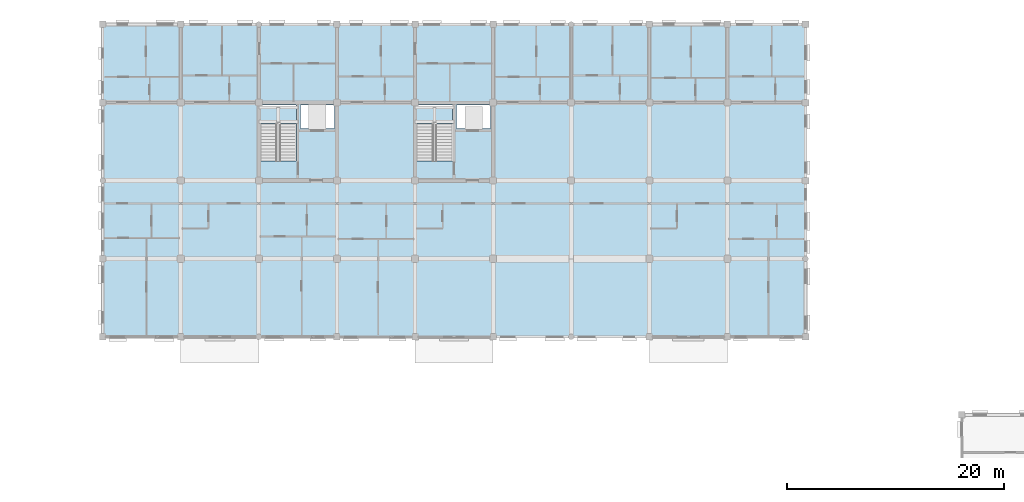
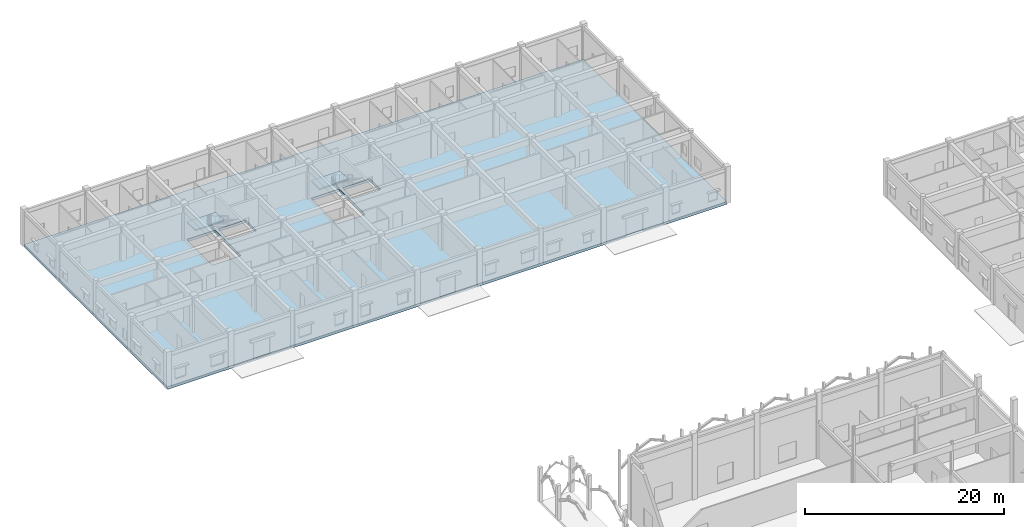
# One storey, part 63 of 138: 3 slabs, 2 elements without a shape of their own.
"""IFC4 building model written with IfcOpenShell, lengths in metres."""

from ifc_helpers import new_model, si_unit, direction, frame, origin, place, context, subcontext, project, spatial, polyline, outline, extrude, material, layer, layer_set, type_object, element, aggregate, save


model = new_model("IFC4")

# Units and contexts
model_context = context("Model", 3, precision=1e-05, world=origin(), true_north=direction((0.0, 1.0)))
body_context = subcontext(model_context, "Body", "Model", "MODEL_VIEW")
ifc_project = project(units=[si_unit("LENGTHUNIT", "METRE"), si_unit("AREAUNIT", "SQUARE_METRE"), si_unit("VOLUMEUNIT", "CUBIC_METRE"), si_unit("PLANEANGLEUNIT", "RADIAN"), si_unit("MASSUNIT", "GRAM", prefix="KILO"), si_unit("THERMODYNAMICTEMPERATUREUNIT", "KELVIN"), si_unit("POWERUNIT", "WATT")], contexts=[model_context])

# Site, building, storey
site_placement = place(None, origin())
site = spatial("IfcSite", under=ifc_project, at=site_placement, CompositionType="ELEMENT")
building_placement = place(site_placement, origin())
building = spatial("IfcBuilding", under=site, at=building_placement, Name="Tavuni Mirador Residences", CompositionType="ELEMENT")
storey_placement = place(building_placement, origin())
storey = spatial("IfcBuildingStorey", under=building, at=storey_placement, Name="L00", CompositionType="ELEMENT", Elevation=0.0)

# Slab
ifc_material_1 = material(Name="In-situ concrete C35/45", Category="concrete")
ifc_layer_1 = layer(ifc_material_1, 0.320068359375, Name="In-situ concrete C35/45", Category="concrete")
ifc_layer_set_1 = layer_set([ifc_layer_1], Name="In-situ concrete C35/45")
slab_type_1 = type_object("IfcSlabType", Name="SLT-FLR320", PredefinedType="FLOOR", material=ifc_layer_set_1)
slab_1_placement = place(storey_placement, frame((0.0, 0.0, -0.320068359375)))
element("IfcSlab", 1, at=slab_1_placement, inside=storey, type_object=slab_type_1, Name="SLB-BLK-C-L00", PredefinedType="FLOOR", context=body_context, shape_type="SweptSolid", body=[
    extrude(outline(polyline([(10.800048828125, 144.0), (75.60009765625, 144.0), (75.60009765625, 172.800048828125), (10.800048828125, 172.800048828125), (10.800048828125, 144.0)]), holes=[polyline([(25.360107421875, 160.2080078125), (28.639892578125, 160.2080078125), (28.639892578125, 165.360107421875), (25.360107421875, 165.360107421875), (25.360107421875, 160.2080078125)]), polyline([(29.02001953125, 163.219970703125), (32.179931640625, 163.219970703125), (32.179931640625, 165.3798828125), (29.02001953125, 165.3798828125), (29.02001953125, 163.219970703125)]), polyline([(39.760009765625, 160.2080078125), (43.0400390625, 160.2080078125), (43.0400390625, 165.360107421875), (39.760009765625, 165.360107421875), (39.760009765625, 160.2080078125)]), polyline([(43.419921875, 163.219970703125), (46.580078125, 163.219970703125), (46.580078125, 165.3798828125), (43.419921875, 165.3798828125), (43.419921875, 163.219970703125)])]), origin(), (0.0, 0.0, 1.0), 0.320068359375),
])

# Stair, slab
ifc_material_2 = material(Name="Precast concrete C40/50", Category="concrete")
stair_type = type_object("IfcStairType", Name="STT-L00", PredefinedType="HALF_TURN_STAIR", material=ifc_material_2)
stair_1_placement = place(storey_placement, origin())
stair_1 = element("IfcStair", 2, at=stair_1_placement, inside=storey, type_object=stair_type, Name="Protected exit stair ST5 (L00)", PredefinedType="HALF_TURN_STAIR")
ifc_layer_2 = layer(ifc_material_2, 0.179931640625, Name="Precast concrete C40/50", Category="concrete")
ifc_layer_set_2 = layer_set([ifc_layer_2], Name="Precast concrete C40/50")
slab_type_2 = type_object("IfcSlabType", Name="SLT-LND180", PredefinedType="LANDING", material=ifc_layer_set_2)
slab_2_placement = place(storey_placement, frame((0.0, 0.0, 2.070068359375)))
slab_2 = element("IfcSlab", 3, at=slab_2_placement, type_object=slab_type_2, Name="ST5 landing 1", PredefinedType="LANDING", context=body_context, shape_type="SweptSolid", body=[
    extrude(outline(polyline([(25.340087890625, 163.612060546875), (28.659912109375, 163.612060546875), (28.659912109375, 165.300048828125), (25.340087890625, 165.300048828125), (25.340087890625, 163.612060546875)])), origin(), (0.0, 0.0, 1.0), 0.179931640625),
])
aggregate(stair_1, [slab_2])

stair_2_placement = place(storey_placement, origin())
stair_2 = element("IfcStair", 4, at=stair_2_placement, inside=storey, type_object=stair_type, Name="Protected exit stair ST6 (L00)", PredefinedType="HALF_TURN_STAIR")
slab_3_placement = place(storey_placement, frame((0.0, 0.0, 2.070068359375)))
slab_3 = element("IfcSlab", 5, at=slab_3_placement, type_object=slab_type_2, Name="ST6 landing 1", PredefinedType="LANDING", context=body_context, shape_type="SweptSolid", body=[
    extrude(outline(polyline([(39.739990234375, 163.612060546875), (43.06005859375, 163.612060546875), (43.06005859375, 165.300048828125), (39.739990234375, 165.300048828125), (39.739990234375, 163.612060546875)])), origin(), (0.0, 0.0, 1.0), 0.179931640625),
])
aggregate(stair_2, [slab_3])

save(model, "model.ifc")
